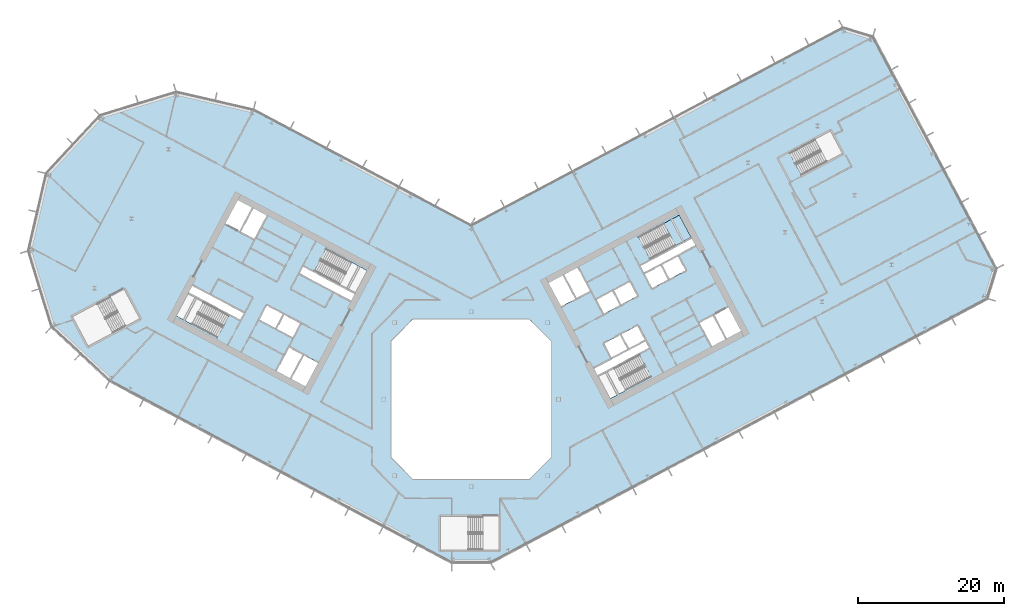
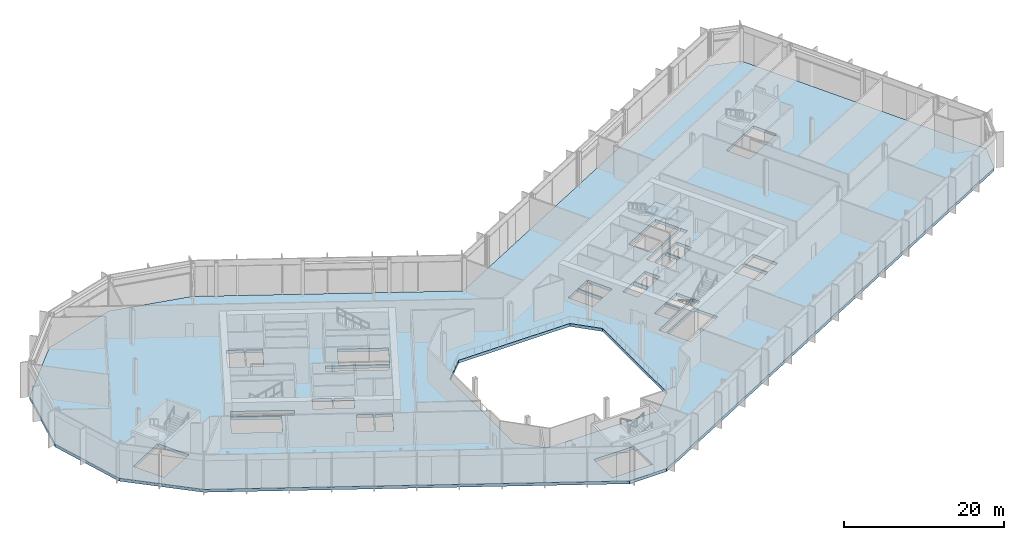
# One storey, part 10 of 32: 2 slabs, 1 element without a shape of its own.
"""IFC4 building model written with IfcOpenShell, lengths in metres."""

import ifcopenshell
import ifcopenshell.guid

model = None  # the IFC model being written
_history = None  # IfcOwnerHistory: only IFC2X3 demands one
_inside = {}  # id of a spatial element -> (the spatial element, [elements in it])
_under = {}  # id of a project, library or spatial element -> (it, [spatial elements below it])
_declared = {}  # id of a project -> (the project, [libraries it declares])
_typed = {}  # id of a type object -> (the type object, [elements of that type])
_made_of = {}  # id of a material, layer set ... -> (it, [elements and type objects made of it])


def new_model(schema):
    """Start an empty IFC model of exactly this schema.

    Asked for "IFC4X3", IfcOpenShell would pick the latest addendum, in which some entities
    have other attributes; the version numbers below select the first issue.
    IFC2X3 requires an IfcOwnerHistory on every rooted entity: one is made here for all.
    """
    global model, _history
    if schema == "IFC4X3":
        model = ifcopenshell.file(schema_version=(4, 3, 0, 0))
    else:
        model = ifcopenshell.file(schema=schema)
    _inside.clear()
    _under.clear()
    _declared.clear()
    _typed.clear()
    _made_of.clear()
    _history = None
    if model.schema == "IFC2X3":
        org = make("IfcOrganization", Name="unknown")
        user = make(
            "IfcPersonAndOrganization",
            ThePerson=make("IfcPerson", FamilyName="unknown"),
            TheOrganization=org,
        )
        app = make(
            "IfcApplication",
            ApplicationDeveloper=org,
            Version="unknown",
            ApplicationFullName="unknown",
            ApplicationIdentifier="unknown",
        )
        _history = make(
            "IfcOwnerHistory",
            OwningUser=user,
            OwningApplication=app,
            ChangeAction="ADDED",
            CreationDate=0,
        )
    return model


def make(cls, **values):
    """One entity of the class cls with the attributes given. An attribute that is None is left unset."""
    return model.create_entity(
        cls, **{name: value for name, value in values.items() if value is not None}
    )


def rooted(cls, **values):
    """An entity with a GlobalId (a new one), such as an element, a storey or a relation."""
    return make(cls, GlobalId=ifcopenshell.guid.new(), OwnerHistory=_history, **values)


def si_unit(unit_type, name, prefix=None):
    """IfcSIUnit, for example si_unit("LENGTHUNIT", "METRE", prefix="MILLI")."""
    return make("IfcSIUnit", UnitType=unit_type, Prefix=prefix, Name=name)


def assignment(units):
    """IfcUnitAssignment: the units of a project."""
    return None if units is None else make("IfcUnitAssignment", Units=units)


def point(xyz):
    """IfcCartesianPoint."""
    return None if xyz is None else make("IfcCartesianPoint", Coordinates=xyz)


def direction(xyz):
    """IfcDirection."""
    return None if xyz is None else make("IfcDirection", DirectionRatios=xyz)


def frame(location, z_axis=None, x_axis=None):
    """IfcAxis2Placement3D, a coordinate frame: its origin and axes. An axis left out is left unset."""
    return make(
        "IfcAxis2Placement3D",
        Location=point(location),
        Axis=direction(z_axis),
        RefDirection=direction(x_axis),
    )


def origin():
    """The frame at (0, 0, 0) with its axes left unset."""
    return frame((0.0, 0.0, 0.0))


def place(relative_to, where):
    """IfcLocalPlacement: puts the frame where relative to a parent placement (None: the world)."""
    return make(
        "IfcLocalPlacement", PlacementRelTo=relative_to, RelativePlacement=where
    )


def context(
    kind, dimensions, precision=None, world=None, true_north=None, identifier=None
):
    """IfcGeometricRepresentationContext, for example the 3D "Model" context."""
    return make(
        "IfcGeometricRepresentationContext",
        ContextIdentifier=identifier,
        ContextType=kind,
        CoordinateSpaceDimension=dimensions,
        Precision=precision,
        WorldCoordinateSystem=world,
        TrueNorth=true_north,
    )


def subcontext(parent, identifier, kind, view, scale=None):
    """IfcGeometricRepresentationSubContext, for example "Body" below "Model"."""
    return make(
        "IfcGeometricRepresentationSubContext",
        ContextIdentifier=identifier,
        ContextType=kind,
        ParentContext=parent,
        TargetScale=scale,
        TargetView=view,
    )


def project(units=None, contexts=None):
    """IfcProject with its units and contexts."""
    return rooted(
        "IfcProject",
        Name="project",
        RepresentationContexts=contexts,
        UnitsInContext=assignment(units),
    )


def spatial(cls, under=None, at=None, **own):
    """A site, building, storey or space (cls), placed at a placement, below another one or the project."""
    s = rooted(cls, ObjectPlacement=at, **own)
    if under is not None:
        _under.setdefault(under.id(), (under, []))[1].append(s)
    return s


def polyline(points):
    """IfcPolyline through the points."""
    return make("IfcPolyline", Points=[point(p) for p in points])


def outline(outer, holes=None, kind="AREA"):
    """IfcArbitraryClosedProfileDef: a profile drawn as a closed curve; with holes, ...WithVoids."""
    if holes is None:
        return make("IfcArbitraryClosedProfileDef", ProfileType=kind, OuterCurve=outer)
    return make(
        "IfcArbitraryProfileDefWithVoids",
        ProfileType=kind,
        OuterCurve=outer,
        InnerCurves=holes,
    )


def extrude(swept, where, along, depth):
    """IfcExtrudedAreaSolid: the profile swept, set in the frame where, extruded along a direction by depth."""
    return make(
        "IfcExtrudedAreaSolid",
        SweptArea=swept,
        Position=where,
        ExtrudedDirection=direction(along),
        Depth=depth,
    )


def shape(context_of_items, identifier, shape_type, items):
    """IfcShapeRepresentation: the items that make up one representation, for example the "Body"."""
    return make(
        "IfcShapeRepresentation",
        ContextOfItems=context_of_items,
        RepresentationIdentifier=identifier,
        RepresentationType=shape_type,
        Items=items,
    )


def material(Name=None, Category=None):
    """IfcMaterial."""
    return make("IfcMaterial", Name=Name, Category=Category)


def layer(
    of_material, thickness, ventilated=None, Name=None, Category=None, Priority=None
):
    """IfcMaterialLayer: one layer of a wall or slab, of a material (None: an air gap)."""
    return make(
        "IfcMaterialLayer",
        Material=of_material,
        LayerThickness=thickness,
        IsVentilated=ventilated,
        Name=Name,
        Category=Category,
        Priority=Priority,
    )


def layer_set(layers, Name=None):
    """IfcMaterialLayerSet."""
    return make("IfcMaterialLayerSet", MaterialLayers=layers, LayerSetName=Name)


def made_of(thing, what):
    """Note that an element or type object is made of a material, layer set ...; save() writes the relation."""
    if what is not None:
        _made_of.setdefault(what.id(), (what, []))[1].append(thing)
    return thing


def type_object(cls, material=None, **own):
    """A type object (cls), such as IfcWallType, which elements share."""
    return made_of(rooted(cls, **own), material)


def element(
    cls,
    number,
    at=None,
    inside=None,
    cuts=None,
    type_object=None,
    material=None,
    context=None,
    identifier="Body",
    shape_type=None,
    held_by="IfcProductDefinitionShape",
    body=None,
    shapes=None,
    **own,
):
    """One element of the class cls, such as IfcWall. Its Tag is "e" and its number.

    at: its placement. inside: the storey or other place that contains it. cuts: it is an
    opening in that element (IfcRelVoidsElement). A single representation is given by context,
    identifier, shape_type and body (its items); several are given by shapes. held_by: the class
    of the entity that holds the representations. save() writes the other relations.
    """
    e = rooted(cls, Tag="e%d" % number, ObjectPlacement=at, **own)
    if body is not None:
        shapes = [shape(context, identifier, shape_type, body)]
    if shapes is not None:
        e.Representation = make(held_by, Representations=shapes)
    if inside is not None:
        _inside.setdefault(inside.id(), (inside, []))[1].append(e)
    if cuts is not None:
        rooted(
            "IfcRelVoidsElement", RelatingBuildingElement=cuts, RelatedOpeningElement=e
        )
    if type_object is not None:
        _typed.setdefault(type_object.id(), (type_object, []))[1].append(e)
    return made_of(e, material)


def aggregate(whole, parts):
    """IfcRelAggregates: a whole, such as a stair, and the parts it consists of."""
    return rooted("IfcRelAggregates", RelatingObject=whole, RelatedObjects=parts)


def save(model, path):
    """Write the relations noted so far, then the file.

    IfcRelAggregates (storeys below a building ...), IfcRelContainedInSpatialStructure (elements
    in a storey), IfcRelDefinesByType, IfcRelAssociatesMaterial and IfcRelDeclares: one each for
    every whole, place, type object, material and project.
    """
    for whole, parts in _under.values():
        aggregate(whole, parts)
    for where, things in _inside.values():
        rooted(
            "IfcRelContainedInSpatialStructure",
            RelatedElements=things,
            RelatingStructure=where,
        )
    for kind, things in _typed.values():
        rooted("IfcRelDefinesByType", RelatedObjects=things, RelatingType=kind)
    for what, things in _made_of.values():
        rooted("IfcRelAssociatesMaterial", RelatedObjects=things, RelatingMaterial=what)
    for by, libraries in _declared.values():
        rooted("IfcRelDeclares", RelatingContext=by, RelatedDefinitions=libraries)
    model.write(path)


model = new_model("IFC4")

# Units and contexts
model_context = context("Model", 3, precision=1e-05, world=origin(), true_north=direction((0.0, 1.0)))
body_context = subcontext(model_context, "Body", "Model", "MODEL_VIEW")
ifc_project = project(units=[si_unit("LENGTHUNIT", "METRE"), si_unit("AREAUNIT", "SQUARE_METRE"), si_unit("VOLUMEUNIT", "CUBIC_METRE"), si_unit("PLANEANGLEUNIT", "RADIAN"), si_unit("MASSUNIT", "GRAM", prefix="KILO")], contexts=[model_context])

# Site, building, storey
site_placement = place(None, origin())
site = spatial("IfcSite", under=ifc_project, at=site_placement, CompositionType="ELEMENT")
building_placement = place(site_placement, origin())
building = spatial("IfcBuilding", under=site, at=building_placement, Name="Cormorant Relay Tower", CompositionType="ELEMENT")
storey_placement = place(building_placement, frame((0.0, 0.0, 39.199951171875)))
storey = spatial("IfcBuildingStorey", under=building, at=storey_placement, Name="L07", CompositionType="ELEMENT", Elevation=39.199951171875)

# Stair, slab
ifc_material_1 = material(Name="Concrete 40 MPa", Category="concrete")
stair_type = type_object("IfcStairType", Name="Exit stair 1500", PredefinedType="HALF_TURN_STAIR", material=ifc_material_1)
stair_placement = place(storey_placement, origin())
stair = element("IfcStair", 1, at=stair_placement, inside=storey, type_object=stair_type, Name="L07 Stair", PredefinedType="HALF_TURN_STAIR")
ifc_material_2 = material(Name="Concrete 40 MPa", Category="concrete")
ifc_layer_1 = layer(ifc_material_2, 0.199951171875)
ifc_layer_set_1 = layer_set([ifc_layer_1], Name="Exit stair landing 200")
slab_type_1 = type_object("IfcSlabType", Name="Exit stair landing 200", PredefinedType="LANDING", material=ifc_layer_set_1)
slab_1_placement = place(storey_placement, frame((0.0, 0.0, 2.5)))
slab_1 = element("IfcSlab", 2, at=slab_1_placement, type_object=slab_type_1, Name="B2 landing 1", PredefinedType="LANDING", context=body_context, shape_type="SweptSolid", body=[
    extrude(outline(polyline([(28.05322265625, 21.088623046875), (30.19873046875, 22.2294921875), (28.5791015625, 25.275634765625), (26.43359375, 24.134765625), (28.05322265625, 21.088623046875)])), origin(), (0.0, 0.0, 1.0), 0.199951171875),
])
aggregate(stair, [slab_1])

# Slab
ifc_material_3 = material(Name="Concrete 40 MPa", Category="concrete")
ifc_layer_2 = layer(ifc_material_3, 0.449951171875)
ifc_layer_set_2 = layer_set([ifc_layer_2], Name="Flat plate 450")
slab_type_2 = type_object("IfcSlabType", Name="Flat plate 450", PredefinedType="FLOOR", material=ifc_layer_set_2)
slab_2_placement = place(storey_placement, frame((0.0, 0.0, -0.449951171875)))
element("IfcSlab", 3, at=slab_2_placement, inside=storey, type_object=slab_type_2, Name="Floor slab L07", PredefinedType="FLOOR", context=body_context, shape_type="SweptSolid", body=[
    extrude(outline(polyline([(-60.7197265625, 20.393310546875), (-58.2744140625, 30.985107421875), (-50.86083984375, 38.935302734375), (-40.465576171875, 42.11328125), (-29.873779296875, 39.668212890625), (0.0, 23.783935546875), (51.064453125, 50.935302734375), (55.12158203125, 49.695068359375), (72.022705078125, 17.908935546875), (70.7822265625, 13.8515625), (2.648681640625, -22.37548828125), (-2.648681640625, -22.37548828125), (-49.591552734375, 2.584228515625), (-57.541748046875, 9.997802734375), (-60.7197265625, 20.393310546875)]), holes=[polyline([(11.0, -8.0), (11.0, 8.0), (8.0, 11.0), (-8.0, 11.0), (-11.0, 8.0), (-11.0, -8.0), (-8.0, -11.0), (8.0, -11.0), (11.0, -8.0)]), polyline([(-4.199951171875, -16.125), (-4.199951171875, -20.675048828125), (1.60009765625, -20.675048828125), (1.60009765625, -16.125), (-4.199951171875, -16.125)]), polyline([(-22.95458984375, 6.03271484375), (-24.668212890625, 2.81005859375), (-22.725830078125, 1.777099609375), (-21.01220703125, 5.0), (-23.04296875, 6.07958984375), (-22.95458984375, 6.03271484375)]), polyline([(-24.985595703125, 7.112548828125), (-26.69921875, 3.889892578125), (-24.844970703125, 2.90380859375), (-23.13134765625, 6.126708984375), (-23.04296875, 6.07958984375), (-24.985595703125, 7.112548828125)]), polyline([(-26.688720703125, 9.660400390625), (-24.481201171875, 8.48681640625), (-23.448486328125, 10.42919921875), (-25.656005859375, 11.602783203125), (-26.688720703125, 9.660400390625)]), polyline([(-49.57861328125, 14.0537109375), (-54.69970703125, 11.330810546875), (-52.563720703125, 7.3134765625), (-47.442626953125, 10.036376953125), (-49.57861328125, 14.0537109375)]), polyline([(-28.039794921875, 12.870361328125), (-29.07275390625, 10.927978515625), (-26.865234375, 9.75439453125), (-25.83251953125, 11.69677734375), (-28.039794921875, 12.870361328125)]), polyline([(-38.847900390625, 14.483154296875), (-40.46728515625, 11.43701171875), (-34.860595703125, 8.455810546875), (-33.240966796875, 11.502197265625), (-38.847900390625, 14.483154296875)]), polyline([(-38.260986328125, 15.5869140625), (-38.75390625, 14.659912109375), (-31.690185546875, 10.904052734375), (-31.197265625, 11.8310546875), (-38.260986328125, 15.5869140625)]), polyline([(14.3056640625, 13.779052734375), (12.592041015625, 17.001708984375), (10.649658203125, 15.968994140625), (12.36328125, 12.74609375), (14.39404296875, 13.825927734375), (14.3056640625, 13.779052734375)]), polyline([(16.33642578125, 14.85888671875), (14.622802734375, 18.08154296875), (12.768798828125, 17.095703125), (14.482421875, 13.872802734375), (14.39404296875, 13.825927734375), (16.33642578125, 14.85888671875)]), polyline([(-16.481689453125, 13.520263671875), (-15.989013671875, 14.447509765625), (-23.052490234375, 18.203125), (-23.54541015625, 17.276123046875), (-16.481689453125, 13.520263671875)]), polyline([(-21.501708984375, 17.605224609375), (-15.89501953125, 14.6240234375), (-14.275390625, 17.670166015625), (-19.882080078125, 20.6513671875), (-21.501708984375, 17.605224609375)]), polyline([(-31.611572265625, 22.980712890625), (-29.75732421875, 21.99462890625), (-28.043701171875, 25.217529296875), (-29.89794921875, 26.203369140625), (-31.611572265625, 22.980712890625)]), polyline([(-33.73046875, 24.107421875), (-31.7880859375, 23.074462890625), (-30.074462890625, 26.29736328125), (-32.01708984375, 27.330078125), (-33.73046875, 24.107421875)]), polyline([(23.087158203125, 6.10302734375), (17.48046875, 3.1220703125), (19.10009765625, 0.07568359375), (24.706787109375, 3.056884765625), (23.087158203125, 6.10302734375)]), polyline([(16.8935546875, 4.2255859375), (17.386474609375, 3.298583984375), (24.4501953125, 7.054443359375), (23.957275390625, 7.9814453125), (16.8935546875, 4.2255859375)]), polyline([(20.446533203125, 8.8330078125), (18.239013671875, 7.6591796875), (19.27197265625, 5.716796875), (21.479248046875, 6.890380859375), (20.446533203125, 8.8330078125)]), polyline([(22.830322265625, 10.1005859375), (20.623046875, 8.927001953125), (21.656005859375, 6.984375), (23.86328125, 8.158203125), (22.830322265625, 10.1005859375)]), polyline([(33.197021484375, 11.478515625), (31.3427734375, 10.49267578125), (33.056396484375, 7.27001953125), (34.910400390625, 8.255859375), (33.197021484375, 11.478515625)]), polyline([(33.37353515625, 11.572509765625), (35.087158203125, 8.349609375), (37.029541015625, 9.382568359375), (35.31591796875, 12.605224609375), (33.37353515625, 11.572509765625)]), polyline([(19.401123046875, 14.84619140625), (17.19384765625, 13.67236328125), (18.2265625, 11.72998046875), (20.43408203125, 12.903564453125), (19.401123046875, 14.84619140625)]), polyline([(22.81787109375, 14.171142578125), (21.78515625, 16.113525390625), (19.57763671875, 14.93994140625), (20.610595703125, 12.99755859375), (22.81787109375, 14.171142578125)]), polyline([(26.023193359375, 18.3671875), (23.81591796875, 17.193359375), (24.8486328125, 15.2509765625), (27.05615234375, 16.424560546875), (26.023193359375, 18.3671875)]), polyline([(29.440185546875, 17.692138671875), (28.4072265625, 19.634765625), (26.19970703125, 18.4609375), (27.232666015625, 16.5185546875), (29.440185546875, 17.692138671875)]), polyline([(30.78564453125, 21.125732421875), (30.29248046875, 22.052978515625), (23.22900390625, 18.297119140625), (23.721923828125, 17.3701171875), (30.78564453125, 21.125732421875)]), polyline([(24.592041015625, 19.248291015625), (30.19873046875, 22.2294921875), (28.5791015625, 25.275634765625), (22.972412109375, 22.29443359375), (24.592041015625, 19.248291015625)]), polyline([(45.3349609375, 30.773681640625), (50.941650390625, 33.7548828125), (49.322021484375, 36.801025390625), (43.715087890625, 33.81982421875), (45.3349609375, 30.773681640625)])]), origin(), (0.0, 0.0, 1.0), 0.449951171875),
])

save(model, "model.ifc")
